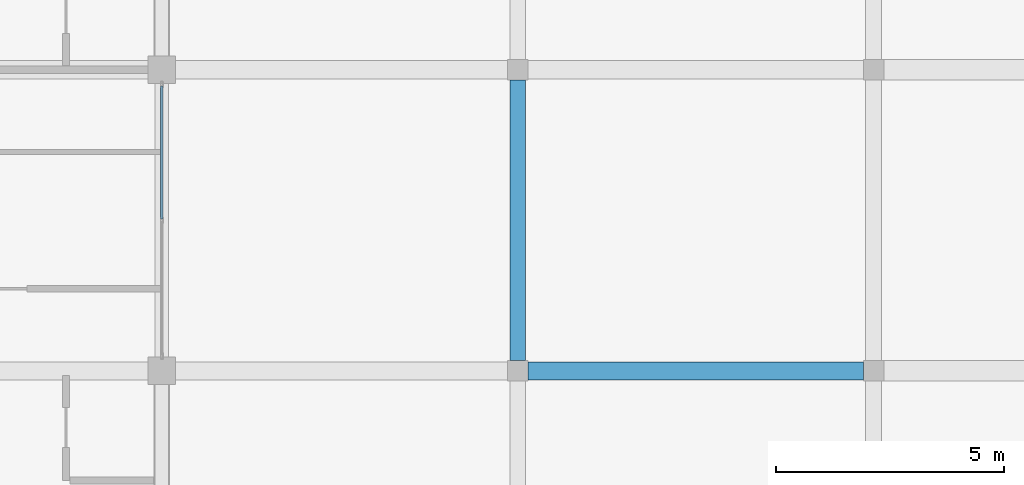
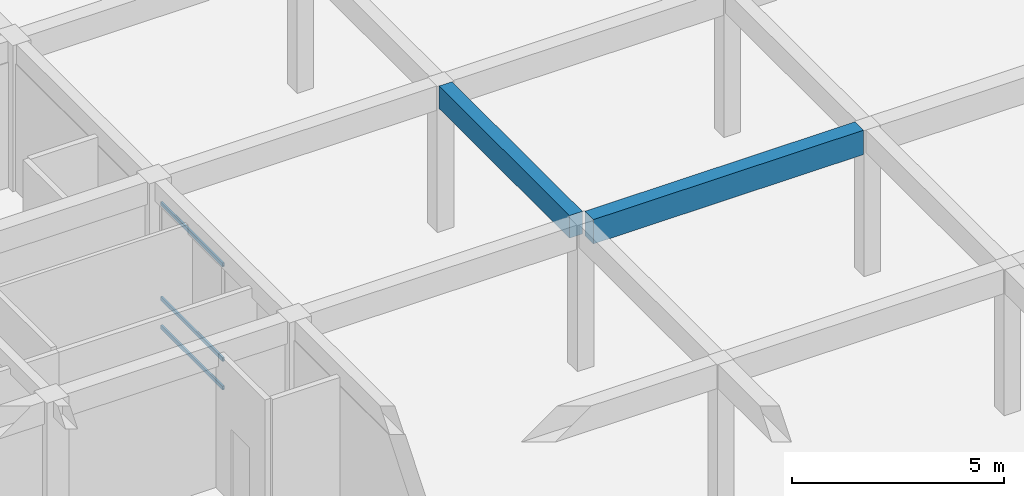
# One storey, part 31 of 75: 3 members, 2 beams, 1 element without a shape of its own.
"""IFC4 building model written with IfcOpenShell, lengths in metres."""

import ifcopenshell
import ifcopenshell.guid

model = None  # the IFC model being written
_history = None  # IfcOwnerHistory: only IFC2X3 demands one
_inside = {}  # id of a spatial element -> (the spatial element, [elements in it])
_under = {}  # id of a project, library or spatial element -> (it, [spatial elements below it])
_declared = {}  # id of a project -> (the project, [libraries it declares])
_typed = {}  # id of a type object -> (the type object, [elements of that type])
_made_of = {}  # id of a material, layer set ... -> (it, [elements and type objects made of it])


def new_model(schema):
    """Start an empty IFC model of exactly this schema.

    Asked for "IFC4X3", IfcOpenShell would pick the latest addendum, in which some entities
    have other attributes; the version numbers below select the first issue.
    IFC2X3 requires an IfcOwnerHistory on every rooted entity: one is made here for all.
    """
    global model, _history
    if schema == "IFC4X3":
        model = ifcopenshell.file(schema_version=(4, 3, 0, 0))
    else:
        model = ifcopenshell.file(schema=schema)
    _inside.clear()
    _under.clear()
    _declared.clear()
    _typed.clear()
    _made_of.clear()
    _history = None
    if model.schema == "IFC2X3":
        org = make("IfcOrganization", Name="unknown")
        user = make(
            "IfcPersonAndOrganization",
            ThePerson=make("IfcPerson", FamilyName="unknown"),
            TheOrganization=org,
        )
        app = make(
            "IfcApplication",
            ApplicationDeveloper=org,
            Version="unknown",
            ApplicationFullName="unknown",
            ApplicationIdentifier="unknown",
        )
        _history = make(
            "IfcOwnerHistory",
            OwningUser=user,
            OwningApplication=app,
            ChangeAction="ADDED",
            CreationDate=0,
        )
    return model


def make(cls, **values):
    """One entity of the class cls with the attributes given. An attribute that is None is left unset."""
    return model.create_entity(
        cls, **{name: value for name, value in values.items() if value is not None}
    )


def rooted(cls, **values):
    """An entity with a GlobalId (a new one), such as an element, a storey or a relation."""
    return make(cls, GlobalId=ifcopenshell.guid.new(), OwnerHistory=_history, **values)


def si_unit(unit_type, name, prefix=None):
    """IfcSIUnit, for example si_unit("LENGTHUNIT", "METRE", prefix="MILLI")."""
    return make("IfcSIUnit", UnitType=unit_type, Prefix=prefix, Name=name)


def assignment(units):
    """IfcUnitAssignment: the units of a project."""
    return None if units is None else make("IfcUnitAssignment", Units=units)


def point(xyz):
    """IfcCartesianPoint."""
    return None if xyz is None else make("IfcCartesianPoint", Coordinates=xyz)


def direction(xyz):
    """IfcDirection."""
    return None if xyz is None else make("IfcDirection", DirectionRatios=xyz)


def frame(location, z_axis=None, x_axis=None):
    """IfcAxis2Placement3D, a coordinate frame: its origin and axes. An axis left out is left unset."""
    return make(
        "IfcAxis2Placement3D",
        Location=point(location),
        Axis=direction(z_axis),
        RefDirection=direction(x_axis),
    )


def frame_2d(location, x_axis=None):
    """IfcAxis2Placement2D, a coordinate frame in the plane: its origin and x axis."""
    return make(
        "IfcAxis2Placement2D", Location=point(location), RefDirection=direction(x_axis)
    )


def origin():
    """The frame at (0, 0, 0) with its axes left unset."""
    return frame((0.0, 0.0, 0.0))


def origin_2d():
    """The frame at (0, 0) in the plane with its x axis left unset."""
    return frame_2d((0.0, 0.0))


def place(relative_to, where):
    """IfcLocalPlacement: puts the frame where relative to a parent placement (None: the world)."""
    return make(
        "IfcLocalPlacement", PlacementRelTo=relative_to, RelativePlacement=where
    )


def context(
    kind, dimensions, precision=None, world=None, true_north=None, identifier=None
):
    """IfcGeometricRepresentationContext, for example the 3D "Model" context."""
    return make(
        "IfcGeometricRepresentationContext",
        ContextIdentifier=identifier,
        ContextType=kind,
        CoordinateSpaceDimension=dimensions,
        Precision=precision,
        WorldCoordinateSystem=world,
        TrueNorth=true_north,
    )


def subcontext(parent, identifier, kind, view, scale=None):
    """IfcGeometricRepresentationSubContext, for example "Body" below "Model"."""
    return make(
        "IfcGeometricRepresentationSubContext",
        ContextIdentifier=identifier,
        ContextType=kind,
        ParentContext=parent,
        TargetScale=scale,
        TargetView=view,
    )


def project(units=None, contexts=None):
    """IfcProject with its units and contexts."""
    return rooted(
        "IfcProject",
        Name="project",
        RepresentationContexts=contexts,
        UnitsInContext=assignment(units),
    )


def spatial(cls, under=None, at=None, **own):
    """A site, building, storey or space (cls), placed at a placement, below another one or the project."""
    s = rooted(cls, ObjectPlacement=at, **own)
    if under is not None:
        _under.setdefault(under.id(), (under, []))[1].append(s)
    return s


def profile(cls, at=None, kind="AREA", **sizes):
    """A parametric profile (cls). Its sizes go by their IFC names, for example OverallWidth=200.0."""
    return make(cls, ProfileType=kind, Position=at, **sizes)


def rectangle(**sizes):
    """IfcRectangleProfileDef."""
    return profile("IfcRectangleProfileDef", **sizes)


def hollow_rectangle(**sizes):
    """IfcRectangleHollowProfileDef."""
    return profile("IfcRectangleHollowProfileDef", **sizes)


def extrude(swept, where, along, depth):
    """IfcExtrudedAreaSolid: the profile swept, set in the frame where, extruded along a direction by depth."""
    return make(
        "IfcExtrudedAreaSolid",
        SweptArea=swept,
        Position=where,
        ExtrudedDirection=direction(along),
        Depth=depth,
    )


def shape(context_of_items, identifier, shape_type, items):
    """IfcShapeRepresentation: the items that make up one representation, for example the "Body"."""
    return make(
        "IfcShapeRepresentation",
        ContextOfItems=context_of_items,
        RepresentationIdentifier=identifier,
        RepresentationType=shape_type,
        Items=items,
    )


def material(Name=None, Category=None):
    """IfcMaterial."""
    return make("IfcMaterial", Name=Name, Category=Category)


def material_profile(
    of_material, cross_section, Name=None, Category=None, Priority=None
):
    """IfcMaterialProfile: a cross section and its material."""
    return make(
        "IfcMaterialProfile",
        Name=Name,
        Material=of_material,
        Profile=cross_section,
        Priority=Priority,
        Category=Category,
    )


def profile_set(profiles, Name=None, composite=None):
    """IfcMaterialProfileSet."""
    return make(
        "IfcMaterialProfileSet",
        Name=Name,
        MaterialProfiles=profiles,
        CompositeProfile=composite,
    )


def made_of(thing, what):
    """Note that an element or type object is made of a material, layer set ...; save() writes the relation."""
    if what is not None:
        _made_of.setdefault(what.id(), (what, []))[1].append(thing)
    return thing


def type_object(cls, material=None, **own):
    """A type object (cls), such as IfcWallType, which elements share."""
    return made_of(rooted(cls, **own), material)


def element(
    cls,
    number,
    at=None,
    inside=None,
    cuts=None,
    type_object=None,
    material=None,
    context=None,
    identifier="Body",
    shape_type=None,
    held_by="IfcProductDefinitionShape",
    body=None,
    shapes=None,
    **own,
):
    """One element of the class cls, such as IfcWall. Its Tag is "e" and its number.

    at: its placement. inside: the storey or other place that contains it. cuts: it is an
    opening in that element (IfcRelVoidsElement). A single representation is given by context,
    identifier, shape_type and body (its items); several are given by shapes. held_by: the class
    of the entity that holds the representations. save() writes the other relations.
    """
    e = rooted(cls, Tag="e%d" % number, ObjectPlacement=at, **own)
    if body is not None:
        shapes = [shape(context, identifier, shape_type, body)]
    if shapes is not None:
        e.Representation = make(held_by, Representations=shapes)
    if inside is not None:
        _inside.setdefault(inside.id(), (inside, []))[1].append(e)
    if cuts is not None:
        rooted(
            "IfcRelVoidsElement", RelatingBuildingElement=cuts, RelatedOpeningElement=e
        )
    if type_object is not None:
        _typed.setdefault(type_object.id(), (type_object, []))[1].append(e)
    return made_of(e, material)


def aggregate(whole, parts):
    """IfcRelAggregates: a whole, such as a stair, and the parts it consists of."""
    return rooted("IfcRelAggregates", RelatingObject=whole, RelatedObjects=parts)


def save(model, path):
    """Write the relations noted so far, then the file.

    IfcRelAggregates (storeys below a building ...), IfcRelContainedInSpatialStructure (elements
    in a storey), IfcRelDefinesByType, IfcRelAssociatesMaterial and IfcRelDeclares: one each for
    every whole, place, type object, material and project.
    """
    for whole, parts in _under.values():
        aggregate(whole, parts)
    for where, things in _inside.values():
        rooted(
            "IfcRelContainedInSpatialStructure",
            RelatedElements=things,
            RelatingStructure=where,
        )
    for kind, things in _typed.values():
        rooted("IfcRelDefinesByType", RelatedObjects=things, RelatingType=kind)
    for what, things in _made_of.values():
        rooted("IfcRelAssociatesMaterial", RelatedObjects=things, RelatingMaterial=what)
    for by, libraries in _declared.values():
        rooted("IfcRelDeclares", RelatingContext=by, RelatedDefinitions=libraries)
    model.write(path)


model = new_model("IFC4")

# Units and contexts
model_context = context("Model", 3, precision=1e-05, world=origin(), true_north=direction((0.0, 1.0)))
body_context = subcontext(model_context, "Body", "Model", "MODEL_VIEW")
ifc_project = project(units=[si_unit("LENGTHUNIT", "METRE"), si_unit("AREAUNIT", "SQUARE_METRE"), si_unit("VOLUMEUNIT", "CUBIC_METRE"), si_unit("PLANEANGLEUNIT", "RADIAN"), si_unit("MASSUNIT", "GRAM", prefix="KILO")], contexts=[model_context])

# Site, building, storey
site_placement = place(None, origin())
site = spatial("IfcSite", under=ifc_project, at=site_placement, CompositionType="ELEMENT")
building_placement = place(site_placement, origin())
building = spatial("IfcBuilding", under=site, at=building_placement, Name="Kernevlak Ridge Housing Community", CompositionType="ELEMENT")
storey_placement = place(building_placement, origin())
storey = spatial("IfcBuildingStorey", under=building, at=storey_placement, Name="L00", CompositionType="ELEMENT", Elevation=0.0)

# Beams
ifc_material_1 = material(Name="Concrete C35/45", Category="concrete")
ifc_material_profile_1 = material_profile(ifc_material_1, rectangle(XDim=0.39990234375, YDim=0.699951171875, at=origin_2d()), Name="RC 400x700")
ifc_profile_set_1 = profile_set([ifc_material_profile_1], Name="Concrete C35/45")
beam_type_1 = type_object("IfcBeamType", Name="B-01", PredefinedType="BEAM", material=ifc_profile_set_1)
beam_1_placement = place(storey_placement, frame((56.625, 82.60009765625, 3.85009765625), z_axis=(1.0, 0.0, 0.0), x_axis=(0.0, 1.0, 0.0)))
element("IfcBeam", 1, at=beam_1_placement, inside=storey, type_object=beam_type_1, Name="Beam B-01 L00 2206", PredefinedType="BEAM", context=body_context, shape_type="SweptSolid", body=[
    extrude(rectangle(XDim=0.39990234375, YDim=0.699951171875, at=origin_2d()), origin(), (0.0, 0.0, 1.0), 7.35009765625),
])
ifc_material_profile_2 = material_profile(ifc_material_1, rectangle(XDim=0.35009765625, YDim=0.64990234375, at=origin_2d()), Name="RC 350x650")
ifc_profile_set_2 = profile_set([ifc_material_profile_2], Name="Concrete C35/45")
beam_type_2 = type_object("IfcBeamType", Name="B-02", PredefinedType="BEAM", material=ifc_profile_set_2)
beam_2_placement = place(storey_placement, frame((56.39990234375, 82.824951171875, 3.875), z_axis=(0.0, 1.0, 0.0), x_axis=(-1.0, 0.0, 0.0)))
element("IfcBeam", 2, at=beam_2_placement, inside=storey, type_object=beam_type_2, Name="Beam B-02 L00 2309", PredefinedType="BEAM", context=body_context, shape_type="SweptSolid", body=[
    extrude(rectangle(XDim=0.35009765625, YDim=0.64990234375, at=origin_2d()), origin(), (0.0, 0.0, 1.0), 6.150146484375),
])

# Curtain wall, members
ifc_material_2 = material(Name="Aluminium EN AW-6060 anodised and laminated glass", Category="aluminium")
curtain_wall_type = type_object("IfcCurtainWallType", Name="CW-10", PredefinedType="NOTDEFINED", material=ifc_material_2)
curtain_wall_placement = place(storey_placement, origin())
curtain_wall = element("IfcCurtainWall", 3, at=curtain_wall_placement, inside=storey, type_object=curtain_wall_type, Name="Curtain wall CW-10 CW-L00-003", PredefinedType="NOTDEFINED")
ifc_material_3 = material(Name="Aluminium EN AW-6060 anodised", Category="aluminium")
ifc_material_profile_3 = material_profile(ifc_material_3, hollow_rectangle(XDim=0.054931640625, YDim=0.110107421875, WallThickness=0.00390625, InnerFilletRadius=0.001953125, OuterFilletRadius=0.00390625, at=origin_2d()), Name="ALU 55x110x4")
ifc_profile_set_3 = profile_set([ifc_material_profile_3], Name="Aluminium EN AW-6060 anodised")
member_type = type_object("IfcMemberType", Name="TM-01", PredefinedType="USERDEFINED", material=ifc_profile_set_3)
member_1_placement = place(storey_placement, frame((48.60009765625, 85.927490234375, 0.027587890625), z_axis=(0.0, 1.0, 0.0), x_axis=(-1.0, 0.0, 0.0)))
member_1 = element("IfcMember", 4, at=member_1_placement, type_object=member_type, Name="CW-10 transom 2.1", ObjectType="TRANSOM", PredefinedType="USERDEFINED", context=body_context, shape_type="SweptSolid", body=[
    extrude(hollow_rectangle(XDim=0.054931640625, YDim=0.110107421875, WallThickness=0.00390625, InnerFilletRadius=0.001953125, OuterFilletRadius=0.00390625, at=origin_2d()), origin(), (0.0, 0.0, 1.0), 2.91748046875),
])
member_2_placement = place(storey_placement, frame((48.60009765625, 85.927490234375, 0.85009765625), z_axis=(0.0, 1.0, 0.0), x_axis=(-1.0, 0.0, 0.0)))
member_2 = element("IfcMember", 5, at=member_2_placement, type_object=member_type, Name="CW-10 transom 2.2", ObjectType="TRANSOM", PredefinedType="USERDEFINED", context=body_context, shape_type="SweptSolid", body=[
    extrude(hollow_rectangle(XDim=0.054931640625, YDim=0.110107421875, WallThickness=0.00390625, InnerFilletRadius=0.001953125, OuterFilletRadius=0.00390625, at=origin_2d()), origin(), (0.0, 0.0, 1.0), 2.91748046875),
])
member_3_placement = place(storey_placement, frame((48.60009765625, 85.927490234375, 3.572509765625), z_axis=(0.0, 1.0, 0.0), x_axis=(-1.0, 0.0, 0.0)))
member_3 = element("IfcMember", 6, at=member_3_placement, type_object=member_type, Name="CW-10 transom 2.3", ObjectType="TRANSOM", PredefinedType="USERDEFINED", context=body_context, shape_type="SweptSolid", body=[
    extrude(hollow_rectangle(XDim=0.054931640625, YDim=0.110107421875, WallThickness=0.00390625, InnerFilletRadius=0.001953125, OuterFilletRadius=0.00390625, at=origin_2d()), origin(), (0.0, 0.0, 1.0), 2.91748046875),
])
aggregate(curtain_wall, [member_1, member_2, member_3])

save(model, "model.ifc")
